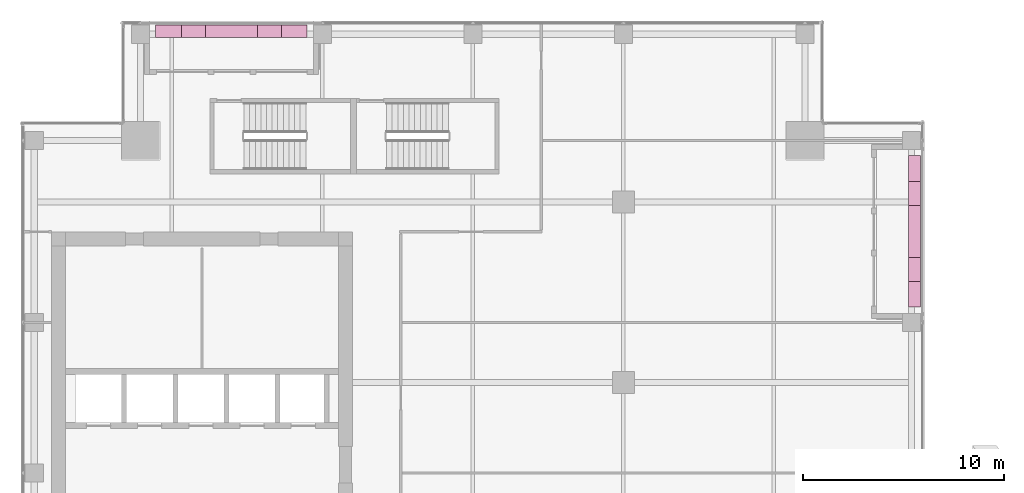
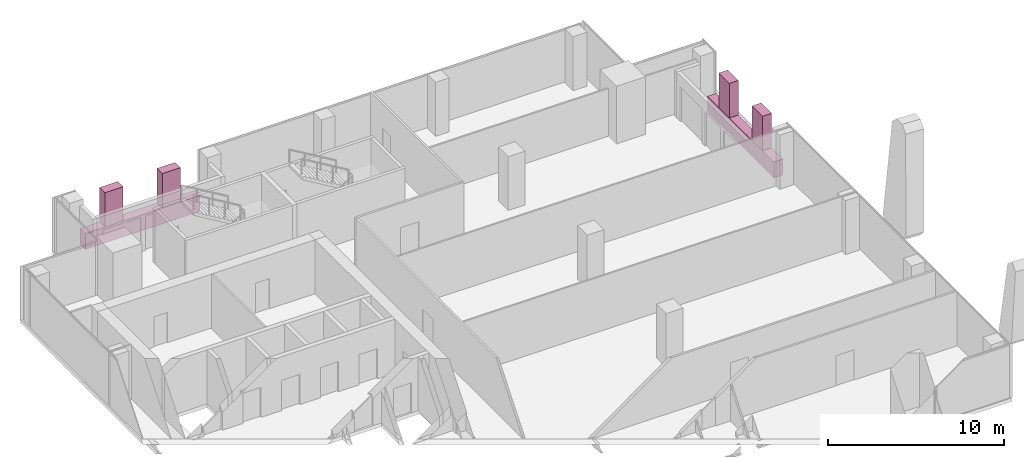
# One storey, part 35 of 35: 6 furnishings.
"""IFC4 building model written with IfcOpenShell, lengths in metres."""

from ifc_helpers import new_model, si_unit, direction, frame, origin, origin_2d, place, context, subcontext, project, spatial, rectangle, extrude, source, transform, mapped, material, type_object, element, save


model = new_model("IFC4")

# Units and contexts
model_context = context("Model", 3, precision=1e-05, world=origin(), true_north=direction((0.0, 1.0)))
body_context = subcontext(model_context, "Body", "Model", "MODEL_VIEW")
ifc_project = project(units=[si_unit("LENGTHUNIT", "METRE"), si_unit("AREAUNIT", "SQUARE_METRE"), si_unit("VOLUMEUNIT", "CUBIC_METRE"), si_unit("PLANEANGLEUNIT", "RADIAN"), si_unit("MASSUNIT", "GRAM", prefix="KILO")], contexts=[model_context])

# Site, building, storey
site_placement = place(None, origin())
site = spatial("IfcSite", under=ifc_project, at=site_placement, CompositionType="ELEMENT")
building_placement = place(site_placement, origin())
building = spatial("IfcBuilding", under=site, at=building_placement, Name="Khomas Fold Tower", CompositionType="ELEMENT")
storey_placement = place(building_placement, frame((0.0, 0.0, 250.199951171875)))
storey = spatial("IfcBuildingStorey", under=building, at=storey_placement, Name="L56", CompositionType="ELEMENT", Elevation=250.199951171875)

# Furnishings
ifc_material_1 = material(Name="Planting")
furnishing_element_type_1 = type_object("IfcFurnishingElementType", Name="BL-Tree Shepherd's tree", material=ifc_material_1)
shared_shape_1 = source(origin(), body_context, "Body", "SweptSolid", [
    extrude(rectangle(XDim=1.199951171875, YDim=0.60009765625, at=origin_2d()), origin(), (0.0, 0.0, 1.0), 2.39501953125),
])
furnishing_1_placement = place(storey_placement, frame((49.0, 37.137451171875, 1.054931640625), z_axis=(0.0, 0.0, 1.0), x_axis=(0.0, 1.0, 0.0)))
element("IfcFurnishingElement", 1, at=furnishing_1_placement, inside=storey, type_object=furnishing_element_type_1, Name="PLANTER (TREE) Shepherd's tree BAL-L56-E4-1", context=body_context, shape_type="MappedRepresentation", body=[
    mapped(shared_shape_1, transform((0.0, 0.0, 0.0))),
])
ifc_material_2 = material(Name="Planting")
furnishing_element_type_2 = type_object("IfcFurnishingElementType", Name="BL-Tree Karee", material=ifc_material_2)
furnishing_2_placement = place(storey_placement, frame((49.0, 40.91259765625, 1.054931640625), z_axis=(0.0, 0.0, 1.0), x_axis=(0.0, 1.0, 0.0)))
element("IfcFurnishingElement", 2, at=furnishing_2_placement, inside=storey, type_object=furnishing_element_type_2, Name="PLANTER (TREE) Karee BAL-L56-E4-2", context=body_context, shape_type="MappedRepresentation", body=[
    mapped(shared_shape_1, transform((0.0, 0.0, 0.0))),
])
furnishing_3_placement = place(storey_placement, frame((13.08740234375, 49.0, 1.054931640625), z_axis=(0.0, 0.0, 1.0), x_axis=(1.0, 0.0, 0.0)))
element("IfcFurnishingElement", 3, at=furnishing_3_placement, inside=storey, type_object=furnishing_element_type_1, Name="PLANTER (TREE) Shepherd's tree BAL-L56-N1-1", context=body_context, shape_type="MappedRepresentation", body=[
    mapped(shared_shape_1, transform((0.0, 0.0, 0.0))),
])
furnishing_4_placement = place(storey_placement, frame((16.862548828125, 49.0, 1.054931640625), z_axis=(0.0, 0.0, 1.0), x_axis=(1.0, 0.0, 0.0)))
element("IfcFurnishingElement", 4, at=furnishing_4_placement, inside=storey, type_object=furnishing_element_type_2, Name="PLANTER (TREE) Karee BAL-L56-N1-2", context=body_context, shape_type="MappedRepresentation", body=[
    mapped(shared_shape_1, transform((0.0, 0.0, 0.0))),
])
ifc_material_3 = material(Name="Precast concrete C40/50", Category="concrete")
furnishing_element_type_3 = type_object("IfcFurnishingElementType", Name="BL-Structural planter box", material=ifc_material_3)
shared_shape_2 = source(origin(), body_context, "Body", "SweptSolid", [
    extrude(rectangle(XDim=7.550048828125, YDim=0.60009765625, at=origin_2d()), origin(), (0.0, 0.0, 1.0), 1.10009765625),
])
for number, where, z_axis, x_axis, name in (
    (5, (49.0, 39.02490234375, -0.044921875), (0.0, 0.0, 1.0), (0.0, 1.0, 0.0), "PLANTER BAL-L56-E4"),
    (6, (14.97509765625, 49.0, -0.044921875), (0.0, 0.0, 1.0), (1.0, 0.0, 0.0), "PLANTER BAL-L56-N1"),
):
    element("IfcFurnishingElement", number, at=place(storey_placement, frame(where, z_axis=z_axis, x_axis=x_axis)), inside=storey, type_object=furnishing_element_type_3, Name=name, context=body_context, shape_type="MappedRepresentation", body=[
        mapped(shared_shape_2, transform((0.0, 0.0, 0.0))),
    ])

save(model, "model.ifc")
